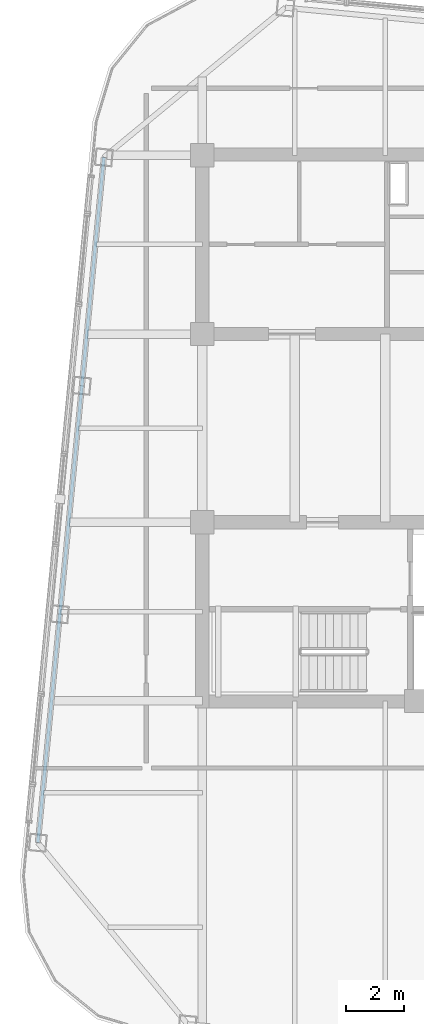
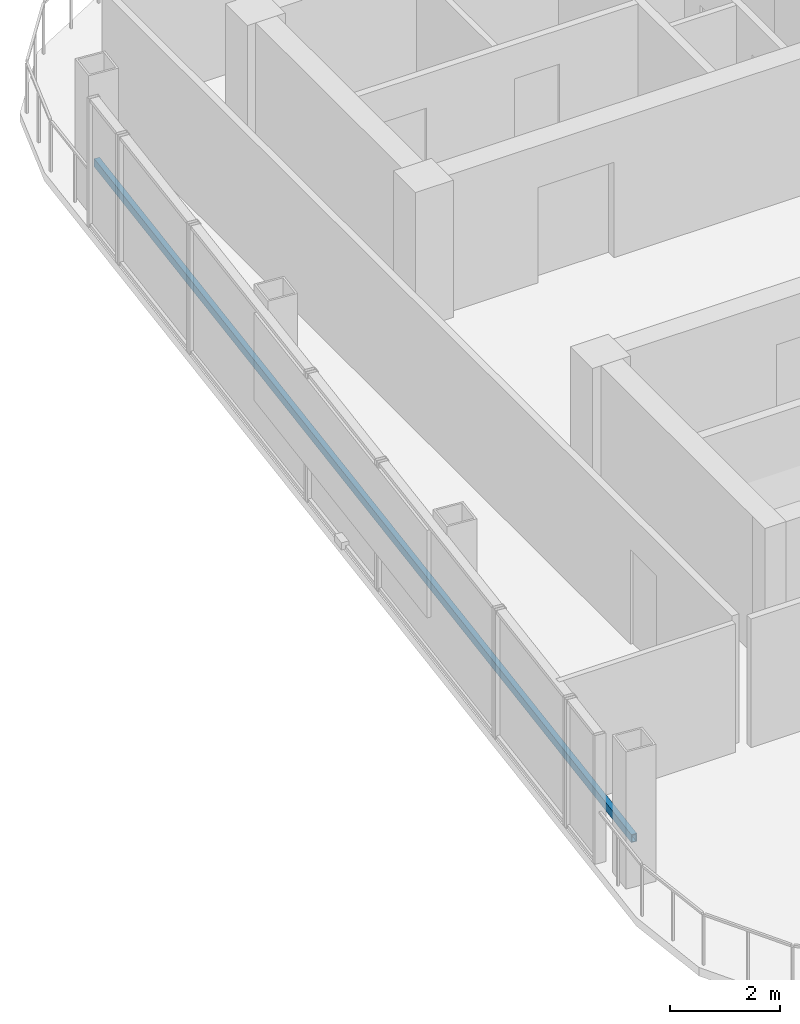
# One storey, part 8 of 26: 1 member.
"""IFC4 building model written with IfcOpenShell, lengths in metres."""

import ifcopenshell
import ifcopenshell.guid

model = None  # the IFC model being written
_history = None  # IfcOwnerHistory: only IFC2X3 demands one
_inside = {}  # id of a spatial element -> (the spatial element, [elements in it])
_under = {}  # id of a project, library or spatial element -> (it, [spatial elements below it])
_declared = {}  # id of a project -> (the project, [libraries it declares])
_typed = {}  # id of a type object -> (the type object, [elements of that type])
_made_of = {}  # id of a material, layer set ... -> (it, [elements and type objects made of it])


def new_model(schema):
    """Start an empty IFC model of exactly this schema.

    Asked for "IFC4X3", IfcOpenShell would pick the latest addendum, in which some entities
    have other attributes; the version numbers below select the first issue.
    IFC2X3 requires an IfcOwnerHistory on every rooted entity: one is made here for all.
    """
    global model, _history
    if schema == "IFC4X3":
        model = ifcopenshell.file(schema_version=(4, 3, 0, 0))
    else:
        model = ifcopenshell.file(schema=schema)
    _inside.clear()
    _under.clear()
    _declared.clear()
    _typed.clear()
    _made_of.clear()
    _history = None
    if model.schema == "IFC2X3":
        org = make("IfcOrganization", Name="unknown")
        user = make(
            "IfcPersonAndOrganization",
            ThePerson=make("IfcPerson", FamilyName="unknown"),
            TheOrganization=org,
        )
        app = make(
            "IfcApplication",
            ApplicationDeveloper=org,
            Version="unknown",
            ApplicationFullName="unknown",
            ApplicationIdentifier="unknown",
        )
        _history = make(
            "IfcOwnerHistory",
            OwningUser=user,
            OwningApplication=app,
            ChangeAction="ADDED",
            CreationDate=0,
        )
    return model


def make(cls, **values):
    """One entity of the class cls with the attributes given. An attribute that is None is left unset."""
    return model.create_entity(
        cls, **{name: value for name, value in values.items() if value is not None}
    )


def rooted(cls, **values):
    """An entity with a GlobalId (a new one), such as an element, a storey or a relation."""
    return make(cls, GlobalId=ifcopenshell.guid.new(), OwnerHistory=_history, **values)


def si_unit(unit_type, name, prefix=None):
    """IfcSIUnit, for example si_unit("LENGTHUNIT", "METRE", prefix="MILLI")."""
    return make("IfcSIUnit", UnitType=unit_type, Prefix=prefix, Name=name)


def assignment(units):
    """IfcUnitAssignment: the units of a project."""
    return None if units is None else make("IfcUnitAssignment", Units=units)


def point(xyz):
    """IfcCartesianPoint."""
    return None if xyz is None else make("IfcCartesianPoint", Coordinates=xyz)


def direction(xyz):
    """IfcDirection."""
    return None if xyz is None else make("IfcDirection", DirectionRatios=xyz)


def frame(location, z_axis=None, x_axis=None):
    """IfcAxis2Placement3D, a coordinate frame: its origin and axes. An axis left out is left unset."""
    return make(
        "IfcAxis2Placement3D",
        Location=point(location),
        Axis=direction(z_axis),
        RefDirection=direction(x_axis),
    )


def frame_2d(location, x_axis=None):
    """IfcAxis2Placement2D, a coordinate frame in the plane: its origin and x axis."""
    return make(
        "IfcAxis2Placement2D", Location=point(location), RefDirection=direction(x_axis)
    )


def origin():
    """The frame at (0, 0, 0) with its axes left unset."""
    return frame((0.0, 0.0, 0.0))


def origin_2d():
    """The frame at (0, 0) in the plane with its x axis left unset."""
    return frame_2d((0.0, 0.0))


def place(relative_to, where):
    """IfcLocalPlacement: puts the frame where relative to a parent placement (None: the world)."""
    return make(
        "IfcLocalPlacement", PlacementRelTo=relative_to, RelativePlacement=where
    )


def context(
    kind, dimensions, precision=None, world=None, true_north=None, identifier=None
):
    """IfcGeometricRepresentationContext, for example the 3D "Model" context."""
    return make(
        "IfcGeometricRepresentationContext",
        ContextIdentifier=identifier,
        ContextType=kind,
        CoordinateSpaceDimension=dimensions,
        Precision=precision,
        WorldCoordinateSystem=world,
        TrueNorth=true_north,
    )


def subcontext(parent, identifier, kind, view, scale=None):
    """IfcGeometricRepresentationSubContext, for example "Body" below "Model"."""
    return make(
        "IfcGeometricRepresentationSubContext",
        ContextIdentifier=identifier,
        ContextType=kind,
        ParentContext=parent,
        TargetScale=scale,
        TargetView=view,
    )


def project(units=None, contexts=None):
    """IfcProject with its units and contexts."""
    return rooted(
        "IfcProject",
        Name="project",
        RepresentationContexts=contexts,
        UnitsInContext=assignment(units),
    )


def spatial(cls, under=None, at=None, **own):
    """A site, building, storey or space (cls), placed at a placement, below another one or the project."""
    s = rooted(cls, ObjectPlacement=at, **own)
    if under is not None:
        _under.setdefault(under.id(), (under, []))[1].append(s)
    return s


def profile(cls, at=None, kind="AREA", **sizes):
    """A parametric profile (cls). Its sizes go by their IFC names, for example OverallWidth=200.0."""
    return make(cls, ProfileType=kind, Position=at, **sizes)


def hollow_rectangle(**sizes):
    """IfcRectangleHollowProfileDef."""
    return profile("IfcRectangleHollowProfileDef", **sizes)


def extrude(swept, where, along, depth):
    """IfcExtrudedAreaSolid: the profile swept, set in the frame where, extruded along a direction by depth."""
    return make(
        "IfcExtrudedAreaSolid",
        SweptArea=swept,
        Position=where,
        ExtrudedDirection=direction(along),
        Depth=depth,
    )


def shape(context_of_items, identifier, shape_type, items):
    """IfcShapeRepresentation: the items that make up one representation, for example the "Body"."""
    return make(
        "IfcShapeRepresentation",
        ContextOfItems=context_of_items,
        RepresentationIdentifier=identifier,
        RepresentationType=shape_type,
        Items=items,
    )


def material(Name=None, Category=None):
    """IfcMaterial."""
    return make("IfcMaterial", Name=Name, Category=Category)


def material_profile(
    of_material, cross_section, Name=None, Category=None, Priority=None
):
    """IfcMaterialProfile: a cross section and its material."""
    return make(
        "IfcMaterialProfile",
        Name=Name,
        Material=of_material,
        Profile=cross_section,
        Priority=Priority,
        Category=Category,
    )


def profile_set(profiles, Name=None, composite=None):
    """IfcMaterialProfileSet."""
    return make(
        "IfcMaterialProfileSet",
        Name=Name,
        MaterialProfiles=profiles,
        CompositeProfile=composite,
    )


def made_of(thing, what):
    """Note that an element or type object is made of a material, layer set ...; save() writes the relation."""
    if what is not None:
        _made_of.setdefault(what.id(), (what, []))[1].append(thing)
    return thing


def type_object(cls, material=None, **own):
    """A type object (cls), such as IfcWallType, which elements share."""
    return made_of(rooted(cls, **own), material)


def element(
    cls,
    number,
    at=None,
    inside=None,
    cuts=None,
    type_object=None,
    material=None,
    context=None,
    identifier="Body",
    shape_type=None,
    held_by="IfcProductDefinitionShape",
    body=None,
    shapes=None,
    **own,
):
    """One element of the class cls, such as IfcWall. Its Tag is "e" and its number.

    at: its placement. inside: the storey or other place that contains it. cuts: it is an
    opening in that element (IfcRelVoidsElement). A single representation is given by context,
    identifier, shape_type and body (its items); several are given by shapes. held_by: the class
    of the entity that holds the representations. save() writes the other relations.
    """
    e = rooted(cls, Tag="e%d" % number, ObjectPlacement=at, **own)
    if body is not None:
        shapes = [shape(context, identifier, shape_type, body)]
    if shapes is not None:
        e.Representation = make(held_by, Representations=shapes)
    if inside is not None:
        _inside.setdefault(inside.id(), (inside, []))[1].append(e)
    if cuts is not None:
        rooted(
            "IfcRelVoidsElement", RelatingBuildingElement=cuts, RelatedOpeningElement=e
        )
    if type_object is not None:
        _typed.setdefault(type_object.id(), (type_object, []))[1].append(e)
    return made_of(e, material)


def aggregate(whole, parts):
    """IfcRelAggregates: a whole, such as a stair, and the parts it consists of."""
    return rooted("IfcRelAggregates", RelatingObject=whole, RelatedObjects=parts)


def save(model, path):
    """Write the relations noted so far, then the file.

    IfcRelAggregates (storeys below a building ...), IfcRelContainedInSpatialStructure (elements
    in a storey), IfcRelDefinesByType, IfcRelAssociatesMaterial and IfcRelDeclares: one each for
    every whole, place, type object, material and project.
    """
    for whole, parts in _under.values():
        aggregate(whole, parts)
    for where, things in _inside.values():
        rooted(
            "IfcRelContainedInSpatialStructure",
            RelatedElements=things,
            RelatingStructure=where,
        )
    for kind, things in _typed.values():
        rooted("IfcRelDefinesByType", RelatedObjects=things, RelatingType=kind)
    for what, things in _made_of.values():
        rooted("IfcRelAssociatesMaterial", RelatedObjects=things, RelatingMaterial=what)
    for by, libraries in _declared.values():
        rooted("IfcRelDeclares", RelatingContext=by, RelatedDefinitions=libraries)
    model.write(path)


model = new_model("IFC4")

# Units and contexts
model_context = context("Model", 3, precision=1e-05, world=origin(), true_north=direction((0.0, 1.0)))
body_context = subcontext(model_context, "Body", "Model", "MODEL_VIEW")
ifc_project = project(units=[si_unit("LENGTHUNIT", "METRE"), si_unit("AREAUNIT", "SQUARE_METRE"), si_unit("VOLUMEUNIT", "CUBIC_METRE"), si_unit("PLANEANGLEUNIT", "RADIAN"), si_unit("MASSUNIT", "GRAM", prefix="KILO")], contexts=[model_context])

# Site, building, storey
site_placement = place(None, origin())
site = spatial("IfcSite", under=ifc_project, at=site_placement, CompositionType="ELEMENT")
building_placement = place(site_placement, origin())
building = spatial("IfcBuilding", under=site, at=building_placement, Name="Qhalaya Broadcast Tower", CompositionType="ELEMENT")
storey_placement = place(building_placement, frame((0.0, 0.0, 248.949951171875)))
storey = spatial("IfcBuildingStorey", under=building, at=storey_placement, Name="L73", CompositionType="ELEMENT", Elevation=248.949951171875)

# Member
ifc_material = material(Name="Fired Architectural Terracotta", Category="masonry")
ifc_material_profile = material_profile(ifc_material, hollow_rectangle(XDim=0.110107421875, YDim=0.179931640625, WallThickness=0.01806640625, at=origin_2d()), Name="TB-BAG 110x180x18")
ifc_profile_set = profile_set([ifc_material_profile], Name="Fired Architectural Terracotta")
member_type = type_object("IfcMemberType", Name="Fired Terracotta Facade Baguette Member TB1", PredefinedType="USERDEFINED", material=ifc_profile_set)
member_placement = place(storey_placement, frame((-12.74853515625, 9.883056640625, 0.858154296875), z_axis=(-0.095845460331, -0.995396226502, 0.0), x_axis=(0.995396226502, -0.095845460331, 0.0)))
element("IfcMember", 1, at=member_placement, inside=storey, type_object=member_type, Name="L73 Terracotta Baguette Feature Rail W", ObjectType="BAGUETTE", PredefinedType="USERDEFINED", context=body_context, shape_type="SweptSolid", body=[
    extrude(hollow_rectangle(XDim=0.110107421875, YDim=0.179931640625, WallThickness=0.01806640625, at=origin_2d()), origin(), (0.0, 0.0, 1.0), 23.60009765625),
])

save(model, "model.ifc")
